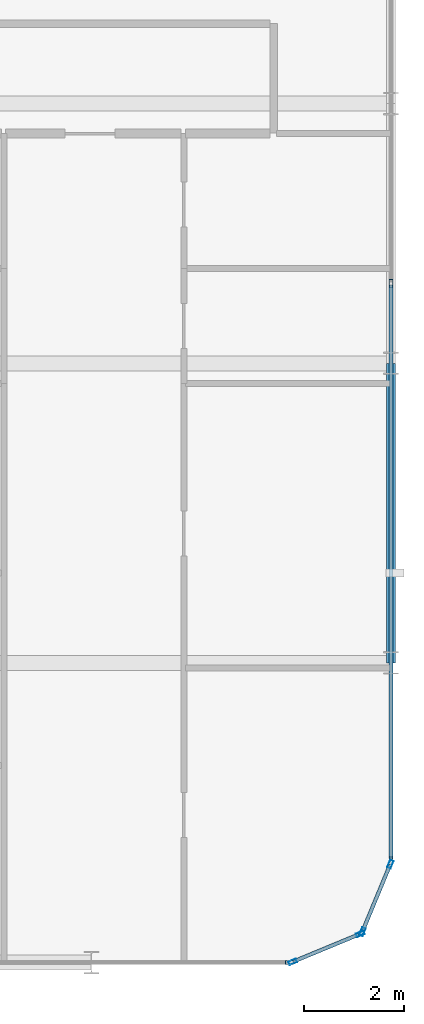
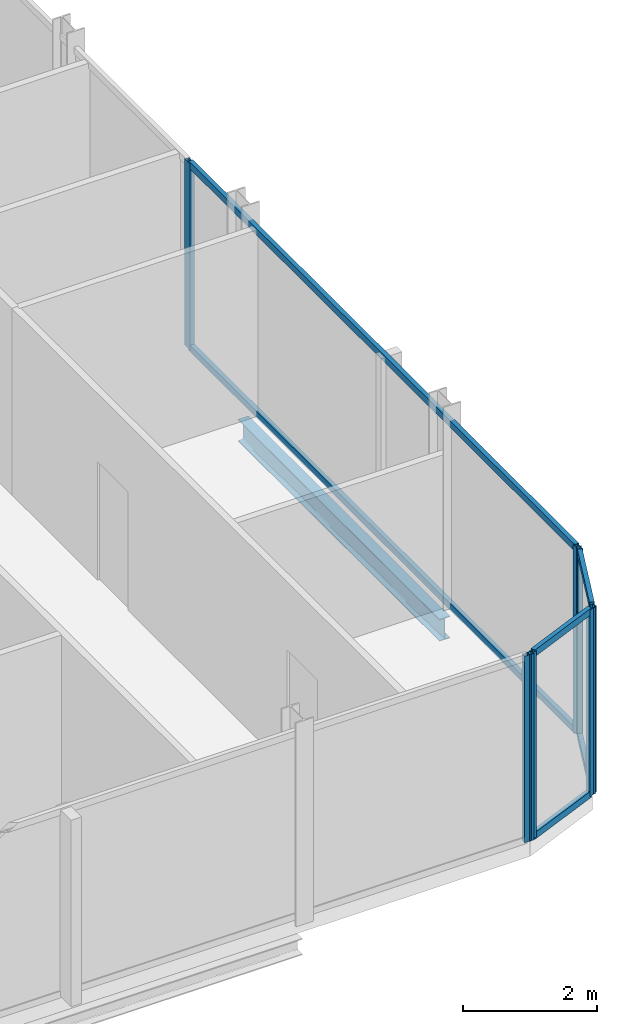
# One storey, part 12 of 29: 13 members, 1 beam, 4 elements without a shape of their own.
"""IFC4 building model written with IfcOpenShell, lengths in metres."""

from ifc_helpers import new_model, si_unit, direction, frame, origin, origin_2d, place, context, subcontext, project, spatial, hollow_rectangle, i_section, extrude, material, layer, layer_set, material_profile, profile_set, type_object, element, aggregate, save


model = new_model("IFC4")

# Units and contexts
model_context = context("Model", 3, precision=1e-05, world=origin(), true_north=direction((0.0, 1.0)))
body_context = subcontext(model_context, "Body", "Model", "MODEL_VIEW")
ifc_project = project(units=[si_unit("LENGTHUNIT", "METRE"), si_unit("AREAUNIT", "SQUARE_METRE"), si_unit("VOLUMEUNIT", "CUBIC_METRE"), si_unit("PLANEANGLEUNIT", "RADIAN"), si_unit("MASSUNIT", "GRAM", prefix="KILO")], contexts=[model_context])

# Site, building, storey
site_placement = place(None, origin())
site = spatial("IfcSite", under=ifc_project, at=site_placement, CompositionType="ELEMENT")
building_placement = place(site_placement, origin())
building = spatial("IfcBuilding", under=site, at=building_placement, Name="Keshet Zoharim Tower", CompositionType="ELEMENT")
storey_placement = place(building_placement, frame((0.0, 0.0, 203.199951171875)))
storey = spatial("IfcBuildingStorey", under=building, at=storey_placement, Name="L50", CompositionType="ELEMENT", Elevation=203.199951171875)

# Beam
ifc_material_1 = material(Name="Steel S355", Category="steel")
ifc_material_profile_1 = material_profile(ifc_material_1, i_section(OverallWidth=0.179931640625, OverallDepth=0.39990234375, WebThickness=0.008544921875, FlangeThickness=0.013427734375, FilletRadius=0.02099609375, at=origin_2d()), Name="IPE400")
ifc_profile_set_1 = profile_set([ifc_material_profile_1], Name="Steel S355")
beam_type = type_object("IfcBeamType", Name="BM-PRI-IP400", PredefinedType="BEAM", material=ifc_profile_set_1)
beam_placement = place(storey_placement, frame((57.0, 6.699951171875, -0.510009765625), z_axis=(0.0, 1.0, 0.0), x_axis=(-1.0, 0.0, 0.0)))
element("IfcBeam", 1, at=beam_placement, inside=storey, type_object=beam_type, Name="L50 Primary Girder Y-013", PredefinedType="BEAM", context=body_context, shape_type="SweptSolid", body=[
    extrude(i_section(OverallWidth=0.179931640625, OverallDepth=0.39990234375, WebThickness=0.008544921875, FlangeThickness=0.013427734375, FilletRadius=0.02099609375, at=origin_2d()), origin(), (0.0, 0.0, 1.0), 6.0),
])

# Curtain wall, members
ifc_material_2 = material(Name="Aluminium 6063-T6", Category="aluminium")
ifc_layer = layer(ifc_material_2, 0.139892578125)
ifc_layer_set = layer_set([ifc_layer], Name="Aluminium 6063-T6")
curtain_wall_type = type_object("IfcCurtainWallType", Name="CW-SYS-05", PredefinedType="NOTDEFINED", material=ifc_layer_set)
curtain_wall_1_placement = place(storey_placement, origin())
curtain_wall_1 = element("IfcCurtainWall", 2, at=curtain_wall_1_placement, inside=storey, type_object=curtain_wall_type, Name="L50 Unitised Curtain Wall 03", PredefinedType="NOTDEFINED")
ifc_material_profile_2 = material_profile(ifc_material_2, hollow_rectangle(XDim=0.074951171875, YDim=0.159912109375, WallThickness=0.00390625, at=origin_2d()), Name="MUL-75x160")
ifc_profile_set_2 = profile_set([ifc_material_profile_2], Name="Aluminium 6063-T6")
member_type_1 = type_object("IfcMemberType", Name="CWM-M15", PredefinedType="MULLION", material=ifc_profile_set_2)
member_1_placement = place(storey_placement, frame((57.0, 14.300048828125, 0.0), z_axis=(0.0, 0.0, 1.0), x_axis=(1.0, 0.0, 0.0)))
member_1 = element("IfcMember", 3, at=member_1_placement, type_object=member_type_1, Name="CW-05 mullion 2", PredefinedType="MULLION", context=body_context, shape_type="SweptSolid", body=[
    extrude(hollow_rectangle(XDim=0.074951171875, YDim=0.159912109375, WallThickness=0.00390625, at=origin_2d()), origin(), (0.0, 0.0, 1.0), 3.39013671875),
])
member_2_placement = place(storey_placement, frame((57.0, 2.735107421875, 0.0), z_axis=(0.0, 0.0, 1.0), x_axis=(1.0, 0.0, 0.0)))
member_2 = element("IfcMember", 4, at=member_2_placement, type_object=member_type_1, Name="CW-05 mullion 3", PredefinedType="MULLION", context=body_context, shape_type="SweptSolid", body=[
    extrude(hollow_rectangle(XDim=0.074951171875, YDim=0.159912109375, WallThickness=0.00390625, at=origin_2d()), origin(), (0.0, 0.0, 1.0), 3.39013671875),
])

curtain_wall_2_placement = place(storey_placement, origin())
curtain_wall_2 = element("IfcCurtainWall", 5, at=curtain_wall_2_placement, inside=storey, type_object=curtain_wall_type, Name="L50 Unitised Curtain Wall 04", PredefinedType="NOTDEFINED")
member_3_placement = place(storey_placement, frame((56.986572265625, 2.667724609375, 0.0), z_axis=(0.0, 0.0, 1.0), x_axis=(0.92380975372, -0.382851849847, 0.0)))
member_3 = element("IfcMember", 6, at=member_3_placement, type_object=member_type_1, Name="CW-05 mullion 1", PredefinedType="MULLION", context=body_context, shape_type="SweptSolid", body=[
    extrude(hollow_rectangle(XDim=0.074951171875, YDim=0.159912109375, WallThickness=0.00390625, at=origin_2d()), origin(), (0.0, 0.0, 1.0), 3.39013671875),
])
member_4_placement = place(storey_placement, frame((56.427490234375, 1.318359375, 0.0), z_axis=(0.0, 0.0, 1.0), x_axis=(0.92380975372, -0.382851849847, 0.0)))
member_4 = element("IfcMember", 7, at=member_4_placement, type_object=member_type_1, Name="CW-05 mullion 2", PredefinedType="MULLION", context=body_context, shape_type="SweptSolid", body=[
    extrude(hollow_rectangle(XDim=0.074951171875, YDim=0.159912109375, WallThickness=0.00390625, at=origin_2d()), origin(), (0.0, 0.0, 1.0), 3.39013671875),
])

curtain_wall_3_placement = place(storey_placement, origin())
curtain_wall_3 = element("IfcCurtainWall", 8, at=curtain_wall_3_placement, inside=storey, type_object=curtain_wall_type, Name="L50 Unitised Curtain Wall 05", PredefinedType="NOTDEFINED")
member_5_placement = place(storey_placement, frame((56.381591796875, 1.272705078125, 0.0), z_axis=(0.0, 0.0, 1.0), x_axis=(0.382851849847, -0.92380975372, 0.0)))
member_5 = element("IfcMember", 9, at=member_5_placement, type_object=member_type_1, Name="CW-05 mullion 1", PredefinedType="MULLION", context=body_context, shape_type="SweptSolid", body=[
    extrude(hollow_rectangle(XDim=0.074951171875, YDim=0.159912109375, WallThickness=0.00390625, at=origin_2d()), origin(), (0.0, 0.0, 1.0), 3.39013671875),
])
member_6_placement = place(storey_placement, frame((55.0322265625, 0.71337890625, 0.0), z_axis=(0.0, 0.0, 1.0), x_axis=(0.382851849847, -0.92380975372, 0.0)))
member_6 = element("IfcMember", 10, at=member_6_placement, type_object=member_type_1, Name="CW-05 mullion 2", PredefinedType="MULLION", context=body_context, shape_type="SweptSolid", body=[
    extrude(hollow_rectangle(XDim=0.074951171875, YDim=0.159912109375, WallThickness=0.00390625, at=origin_2d()), origin(), (0.0, 0.0, 1.0), 3.39013671875),
])

# Curtain wall, member
curtain_wall_4_placement = place(storey_placement, origin())
curtain_wall_4 = element("IfcCurtainWall", 11, at=curtain_wall_4_placement, inside=storey, type_object=curtain_wall_type, Name="L50 Unitised Curtain Wall 06", PredefinedType="NOTDEFINED")
member_7_placement = place(storey_placement, frame((54.965087890625, 0.699951171875, 0.0), z_axis=(0.0, 0.0, 1.0), x_axis=(0.0, -1.0, 0.0)))
member_7 = element("IfcMember", 12, at=member_7_placement, type_object=member_type_1, Name="CW-05 mullion 1", PredefinedType="MULLION", context=body_context, shape_type="SweptSolid", body=[
    extrude(hollow_rectangle(XDim=0.074951171875, YDim=0.159912109375, WallThickness=0.00390625, at=origin_2d()), origin(), (0.0, 0.0, 1.0), 3.39013671875),
])
aggregate(curtain_wall_4, [member_7])

# Member
ifc_material_profile_3 = material_profile(ifc_material_2, hollow_rectangle(XDim=0.074951171875, YDim=0.1201171875, WallThickness=0.00390625, at=origin_2d()), Name="TRN-75x120")
ifc_profile_set_3 = profile_set([ifc_material_profile_3], Name="Aluminium 6063-T6")
member_type_2 = type_object("IfcMemberType", Name="CWT-T12", PredefinedType="USERDEFINED", material=ifc_profile_set_3)
member_8_placement = place(storey_placement, frame((57.0, 14.264892578125, 0.03515625), z_axis=(0.0, -1.0, 0.0), x_axis=(1.0, 0.0, 0.0)))
member_8 = element("IfcMember", 13, at=member_8_placement, type_object=member_type_2, Name="CW-05 transom 2.1", ObjectType="TRANSOM", PredefinedType="USERDEFINED", context=body_context, shape_type="SweptSolid", body=[
    extrude(hollow_rectangle(XDim=0.074951171875, YDim=0.1201171875, WallThickness=0.00390625, at=origin_2d()), origin(), (0.0, 0.0, 1.0), 11.494873046875),
])

member_9_placement = place(storey_placement, frame((57.0, 14.264892578125, 3.35498046875), z_axis=(0.0, -1.0, 0.0), x_axis=(1.0, 0.0, 0.0)))
member_9 = element("IfcMember", 14, at=member_9_placement, type_object=member_type_2, Name="CW-05 transom 2.2", ObjectType="TRANSOM", PredefinedType="USERDEFINED", context=body_context, shape_type="SweptSolid", body=[
    extrude(hollow_rectangle(XDim=0.074951171875, YDim=0.1201171875, WallThickness=0.00390625, at=origin_2d()), origin(), (0.0, 0.0, 1.0), 11.494873046875),
])

aggregate(curtain_wall_1, [member_1, member_2, member_8, member_9])

member_10_placement = place(storey_placement, frame((56.97314453125, 2.63525390625, 0.03515625), z_axis=(-0.382744609247, -0.923854189844, 0.0), x_axis=(0.923854189844, -0.382744609247, 0.0)))
member_10 = element("IfcMember", 15, at=member_10_placement, type_object=member_type_2, Name="CW-05 transom 1.1", ObjectType="TRANSOM", PredefinedType="USERDEFINED", context=body_context, shape_type="SweptSolid", body=[
    extrude(hollow_rectangle(XDim=0.074951171875, YDim=0.1201171875, WallThickness=0.00390625, at=origin_2d()), origin(), (0.0, 0.0, 1.0), 1.390625),
])

member_11_placement = place(storey_placement, frame((56.97314453125, 2.63525390625, 3.35498046875), z_axis=(-0.382744609247, -0.923854189844, 0.0), x_axis=(0.923854189844, -0.382744609247, 0.0)))
member_11 = element("IfcMember", 16, at=member_11_placement, type_object=member_type_2, Name="CW-05 transom 1.2", ObjectType="TRANSOM", PredefinedType="USERDEFINED", context=body_context, shape_type="SweptSolid", body=[
    extrude(hollow_rectangle(XDim=0.074951171875, YDim=0.1201171875, WallThickness=0.00390625, at=origin_2d()), origin(), (0.0, 0.0, 1.0), 1.390625),
])

aggregate(curtain_wall_2, [member_3, member_4, member_10, member_11])

member_12_placement = place(storey_placement, frame((56.349365234375, 1.25927734375, 0.03515625), z_axis=(-0.92379209995, -0.382894445076, 0.0), x_axis=(0.382894445076, -0.92379209995, 0.0)))
member_12 = element("IfcMember", 17, at=member_12_placement, type_object=member_type_2, Name="CW-05 transom 1.1", ObjectType="TRANSOM", PredefinedType="USERDEFINED", context=body_context, shape_type="SweptSolid", body=[
    extrude(hollow_rectangle(XDim=0.074951171875, YDim=0.1201171875, WallThickness=0.00390625, at=origin_2d()), origin(), (0.0, 0.0, 1.0), 1.390625),
])

member_13_placement = place(storey_placement, frame((56.349365234375, 1.25927734375, 3.35498046875), z_axis=(-0.92379209995, -0.382894445076, 0.0), x_axis=(0.382894445076, -0.92379209995, 0.0)))
member_13 = element("IfcMember", 18, at=member_13_placement, type_object=member_type_2, Name="CW-05 transom 1.2", ObjectType="TRANSOM", PredefinedType="USERDEFINED", context=body_context, shape_type="SweptSolid", body=[
    extrude(hollow_rectangle(XDim=0.074951171875, YDim=0.1201171875, WallThickness=0.00390625, at=origin_2d()), origin(), (0.0, 0.0, 1.0), 1.390625),
])

aggregate(curtain_wall_3, [member_5, member_6, member_12, member_13])

save(model, "model.ifc")
